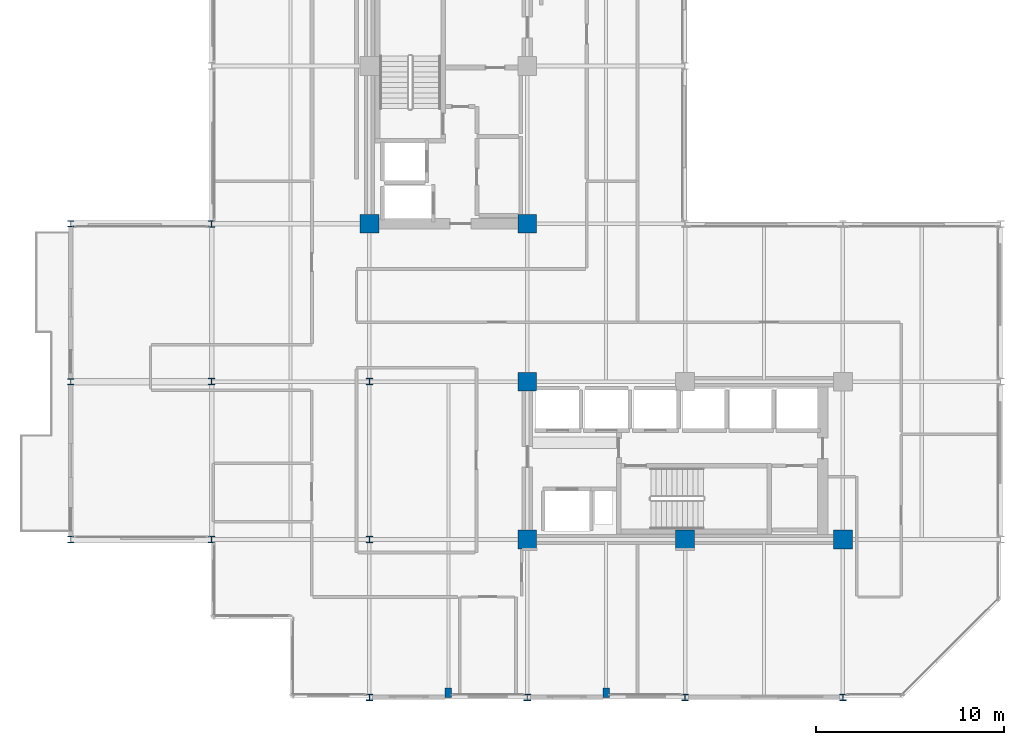
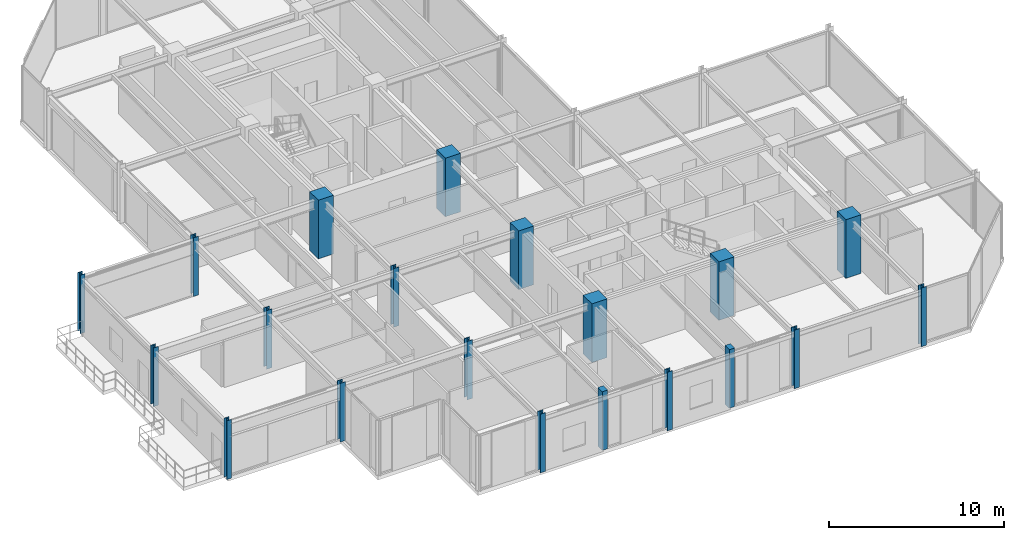
# One storey, part 1 of 29: 20 columns.
"""IFC4 building model written with IfcOpenShell, lengths in metres."""

from ifc_helpers import new_model, si_unit, direction, frame, origin, origin_2d, place, context, subcontext, project, spatial, rectangle, i_section, extrude, material, material_profile, profile_set, type_object, element, save


model = new_model("IFC4")

# Units and contexts
model_context = context("Model", 3, precision=1e-05, world=origin(), true_north=direction((0.0, 1.0)))
body_context = subcontext(model_context, "Body", "Model", "MODEL_VIEW")
ifc_project = project(units=[si_unit("LENGTHUNIT", "METRE"), si_unit("AREAUNIT", "SQUARE_METRE"), si_unit("VOLUMEUNIT", "CUBIC_METRE"), si_unit("PLANEANGLEUNIT", "RADIAN"), si_unit("MASSUNIT", "GRAM", prefix="KILO")], contexts=[model_context])

# Site, building, storey
site_placement = place(None, origin())
site = spatial("IfcSite", under=ifc_project, at=site_placement, CompositionType="ELEMENT")
building_placement = place(site_placement, origin())
building = spatial("IfcBuilding", under=site, at=building_placement, Name="Nerrivon Quay Data Exchange", CompositionType="ELEMENT")
storey_placement = place(building_placement, frame((0.0, 0.0, 208.300048828125)))
storey = spatial("IfcBuildingStorey", under=building, at=storey_placement, Name="L49", CompositionType="ELEMENT", Elevation=208.300048828125)

# Columns
ifc_material_1 = material(Name="Concrete S65 (65 MPa)", Category="concrete")
ifc_material_profile_1 = material_profile(ifc_material_1, rectangle(XDim=1.0, YDim=1.0, at=origin_2d()), Name="RC-COL-1000x1000")
ifc_profile_set_1 = profile_set([ifc_material_profile_1], Name="Concrete S65 (65 MPa)")
column_type_1 = type_object("IfcColumnType", Name="COL-C4-1000", PredefinedType="COLUMN", material=ifc_profile_set_1)
for number, where, z_axis, x_axis, name in (
    (1, (8.39990234375, 25.199951171875, 0.0), (0.0, 0.0, 1.0), (1.0, 0.0, 0.0), "L49 Column (8.4,25.2)"),
    (2, (16.800048828125, 8.39990234375, 0.0), (0.0, 0.0, 1.0), (1.0, 0.0, 0.0), "L49 Column (16.8,8.4)"),
    (3, (16.800048828125, 16.800048828125, 0.0), (0.0, 0.0, 1.0), (1.0, 0.0, 0.0), "L49 Column (16.8,16.8)"),
    (4, (16.800048828125, 25.199951171875, 0.0), (0.0, 0.0, 1.0), (1.0, 0.0, 0.0), "L49 Column (16.8,25.2)"),
    (5, (25.199951171875, 8.39990234375, 0.0), (0.0, 0.0, 1.0), (1.0, 0.0, 0.0), "L49 Column (25.2,8.4)"),
    (6, (33.60009765625, 8.39990234375, 0.0), (0.0, 0.0, 1.0), (1.0, 0.0, 0.0), "L49 Column (33.6,8.4)"),
):
    element("IfcColumn", number, at=place(storey_placement, frame(where, z_axis=z_axis, x_axis=x_axis)), inside=storey, type_object=column_type_1, Name=name, PredefinedType="COLUMN", context=body_context, shape_type="SweptSolid", body=[
        extrude(rectangle(XDim=1.0, YDim=1.0, at=origin_2d()), origin(), (0.0, 0.0, 1.0), 4.099853515625),
    ])
ifc_material_2 = material(Name="Steel Grade 350", Category="steel")
ifc_material_profile_2 = material_profile(ifc_material_2, i_section(OverallWidth=0.35009765625, OverallDepth=0.35009765625, WebThickness=0.02001953125, FlangeThickness=0.031982421875, at=origin_2d()), Name="350WC230")
ifc_profile_set_2 = profile_set([ifc_material_profile_2], Name="Steel Grade 350")
column_type_2 = type_object("IfcColumnType", Name="COL-SC3-350WC", PredefinedType="COLUMN", material=ifc_profile_set_2)
for number, where, z_axis, x_axis, name in (
    (7, (0.0, 8.39990234375, 0.0), (0.0, 0.0, 1.0), (1.0, 0.0, 0.0), "L49 Column (0.0,8.4)"),
    (8, (0.0, 16.800048828125, 0.0), (0.0, 0.0, 1.0), (1.0, 0.0, 0.0), "L49 Column (0.0,16.8)"),
    (9, (0.0, 25.199951171875, 0.0), (0.0, 0.0, 1.0), (1.0, 0.0, 0.0), "L49 Column (0.0,25.2)"),
    (10, (8.39990234375, 0.0, 0.0), (0.0, 0.0, 1.0), (1.0, 0.0, 0.0), "L49 Column (8.4,0.0)"),
    (11, (8.39990234375, 8.39990234375, 0.0), (0.0, 0.0, 1.0), (1.0, 0.0, 0.0), "L49 Column (8.4,8.4)"),
    (12, (8.39990234375, 16.800048828125, 0.0), (0.0, 0.0, 1.0), (1.0, 0.0, 0.0), "L49 Column (8.4,16.8)"),
    (13, (16.800048828125, 0.0, 0.0), (0.0, 0.0, 1.0), (1.0, 0.0, 0.0), "L49 Column (16.8,0.0)"),
    (14, (25.199951171875, 0.0, 0.0), (0.0, 0.0, 1.0), (1.0, 0.0, 0.0), "L49 Column (25.2,0.0)"),
    (15, (33.60009765625, 0.0, 0.0), (0.0, 0.0, 1.0), (1.0, 0.0, 0.0), "L49 Column (33.6,0.0)"),
):
    element("IfcColumn", number, at=place(storey_placement, frame(where, z_axis=z_axis, x_axis=x_axis)), inside=storey, type_object=column_type_2, Name=name, PredefinedType="COLUMN", context=body_context, shape_type="SweptSolid", body=[
        extrude(i_section(OverallWidth=0.35009765625, OverallDepth=0.35009765625, WebThickness=0.02001953125, FlangeThickness=0.031982421875, at=origin_2d()), origin(), (0.0, 0.0, 1.0), 4.099853515625),
    ])
ifc_material_profile_3 = material_profile(ifc_material_2, i_section(OverallWidth=0.31103515625, OverallDepth=0.326904296875, WebThickness=0.015625, FlangeThickness=0.02490234375, FilletRadius=0.0166015625, at=origin_2d()), Name="310UC158")
ifc_profile_set_3 = profile_set([ifc_material_profile_3], Name="Steel Grade 350")
column_type_3 = type_object("IfcColumnType", Name="COL-SC4-310UC158", PredefinedType="COLUMN", material=ifc_profile_set_3)
for number, where, z_axis, x_axis, name in (
    (16, (-7.5, 8.39990234375, 0.0), (0.0, 0.0, 1.0), (1.0, 0.0, 0.0), "L49 West Hooked Post (-7.5,8.4)"),
    (17, (-7.5, 16.800048828125, 0.0), (0.0, 0.0, 1.0), (1.0, 0.0, 0.0), "L49 West Hooked Post (-7.5,16.8)"),
    (18, (-7.5, 25.199951171875, 0.0), (0.0, 0.0, 1.0), (1.0, 0.0, 0.0), "L49 West Hooked Post (-7.5,25.2)"),
):
    element("IfcColumn", number, at=place(storey_placement, frame(where, z_axis=z_axis, x_axis=x_axis)), inside=storey, type_object=column_type_3, Name=name, PredefinedType="COLUMN", context=body_context, shape_type="SweptSolid", body=[
        extrude(i_section(OverallWidth=0.31103515625, OverallDepth=0.326904296875, WebThickness=0.015625, FlangeThickness=0.02490234375, FilletRadius=0.0166015625, at=origin_2d()), origin(), (0.0, 0.0, 1.0), 4.099853515625),
    ])
ifc_material_3 = material(Name="Concrete N50 (50 MPa)", Category="concrete")
ifc_material_profile_4 = material_profile(ifc_material_3, rectangle(XDim=0.35009765625, YDim=0.5, at=origin_2d()), Name="RC-PIL-500x350")
ifc_profile_set_4 = profile_set([ifc_material_profile_4], Name="Concrete N50 (50 MPa)")
column_type_4 = type_object("IfcColumnType", Name="PIL-P2-500x350", PredefinedType="PILASTER", material=ifc_profile_set_4)
for number, where, z_axis, x_axis, name in (
    (19, (12.60009765625, 0.25, 0.0), (0.0, 0.0, 1.0), (1.0, 0.0, 0.0), "L49 Facade Pilaster (12.6)"),
    (20, (21.0, 0.25, 0.0), (0.0, 0.0, 1.0), (1.0, 0.0, 0.0), "L49 Facade Pilaster (21.0)"),
):
    element("IfcColumn", number, at=place(storey_placement, frame(where, z_axis=z_axis, x_axis=x_axis)), inside=storey, type_object=column_type_4, Name=name, PredefinedType="PILASTER", context=body_context, shape_type="SweptSolid", body=[
        extrude(rectangle(XDim=0.35009765625, YDim=0.5, at=origin_2d()), origin(), (0.0, 0.0, 1.0), 4.099853515625),
    ])

save(model, "model.ifc")
